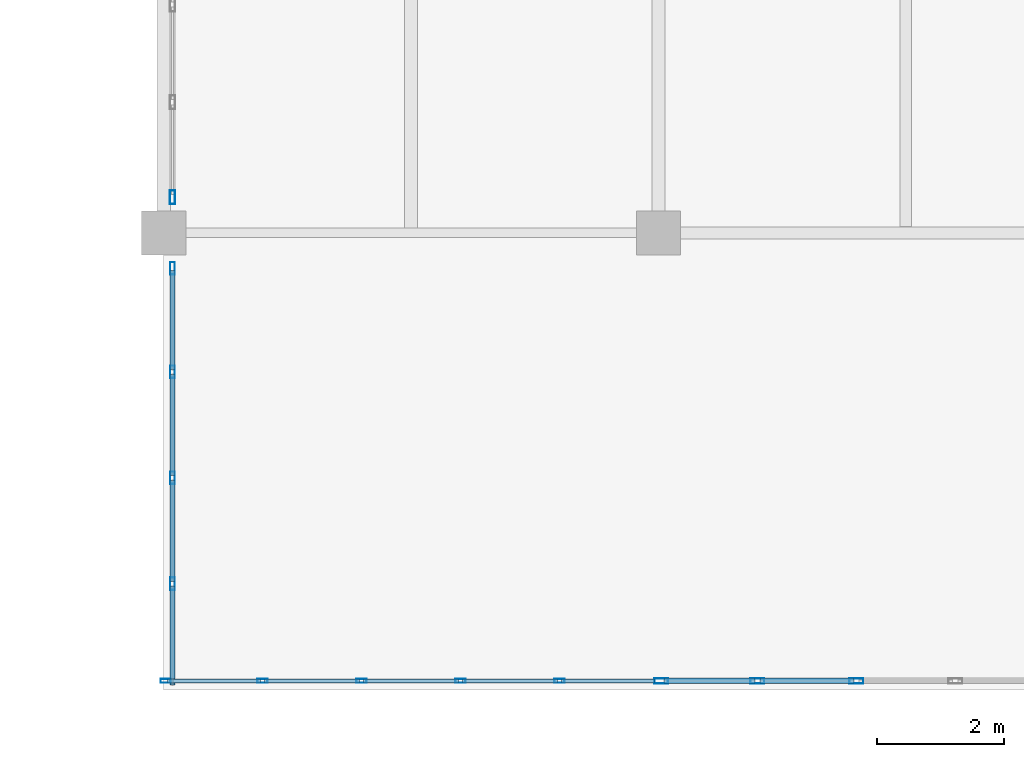
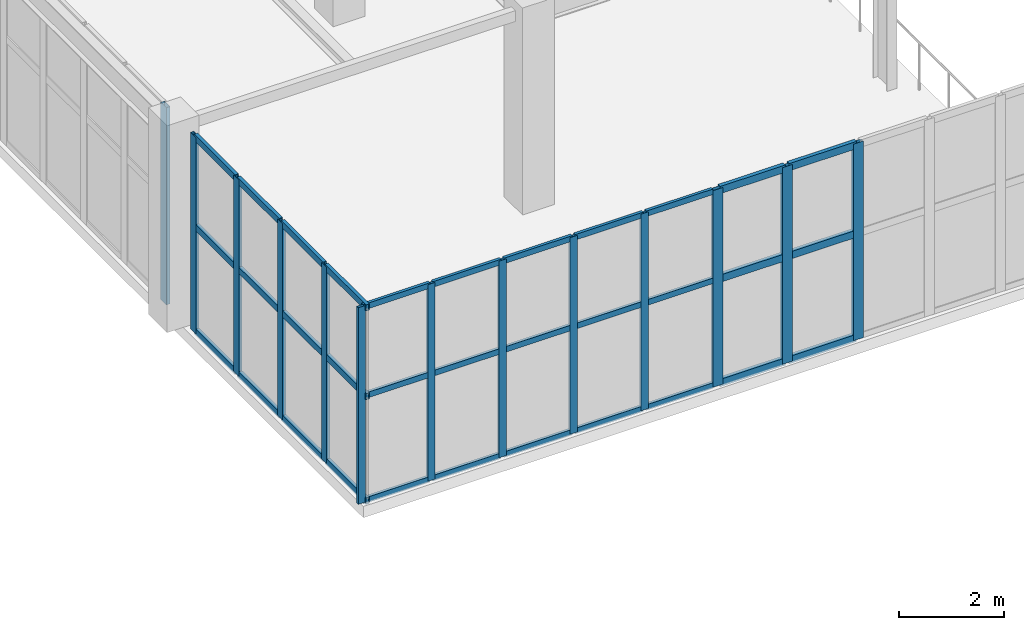
# One storey, part 31 of 72: 46 members, 4 elements without a shape of their own.
"""IFC4 building model written with IfcOpenShell, lengths in metres."""

from ifc_helpers import new_model, si_unit, direction, frame, origin, origin_2d, place, context, subcontext, project, spatial, hollow_rectangle, extrude, material, layer, layer_set, material_profile, profile_set, type_object, element, aggregate, save


model = new_model("IFC4")

# Units and contexts
model_context = context("Model", 3, precision=1e-05, world=origin(), true_north=direction((0.0, 1.0)))
body_context = subcontext(model_context, "Body", "Model", "MODEL_VIEW")
ifc_project = project(units=[si_unit("LENGTHUNIT", "METRE"), si_unit("AREAUNIT", "SQUARE_METRE"), si_unit("VOLUMEUNIT", "CUBIC_METRE"), si_unit("PLANEANGLEUNIT", "RADIAN"), si_unit("MASSUNIT", "GRAM", prefix="KILO")], contexts=[model_context])

# Site, building, storey
site_placement = place(None, origin())
site = spatial("IfcSite", under=ifc_project, at=site_placement, CompositionType="ELEMENT")
building_placement = place(site_placement, origin())
building = spatial("IfcBuilding", under=site, at=building_placement, Name="Xicomal Pleat Aquarium", CompositionType="ELEMENT")
storey_placement = place(building_placement, frame((0.0, 0.0, 10.5)))
storey = spatial("IfcBuildingStorey", under=building, at=storey_placement, Name="L03", CompositionType="ELEMENT", Elevation=10.5)

# Curtain wall, members
ifc_material_1 = material(Name="Bronze anodized aluminium 6063-T6", Category="aluminium")
ifc_layer_1 = layer(ifc_material_1, 0.159912109375)
ifc_layer_set_1 = layer_set([ifc_layer_1], Name="Bronze anodized aluminium 6063-T6")
curtain_wall_type_1 = type_object("IfcCurtainWallType", Name="CW-SYS-03", PredefinedType="NOTDEFINED", material=ifc_layer_set_1)
curtain_wall_1_placement = place(storey_placement, origin())
curtain_wall_1 = element("IfcCurtainWall", 1, at=curtain_wall_1_placement, inside=storey, type_object=curtain_wall_type_1, Name="L03 unitised curtain wall CW-L03-147", PredefinedType="NOTDEFINED")
ifc_material_2 = material(Name="Bronze anodized aluminium 6063-T6", Category="aluminium")
ifc_material_profile_1 = material_profile(ifc_material_2, hollow_rectangle(XDim=0.06494140625, YDim=0.159912109375, WallThickness=0.00390625, at=origin_2d()), Name="ALU MULL 65x160")
ifc_profile_set_1 = profile_set([ifc_material_profile_1], Name="Bronze anodized aluminium 6063-T6")
member_type_1 = type_object("IfcMemberType", Name="CWM-65x160", PredefinedType="MULLION", material=ifc_profile_set_1)
member_1_placement = place(storey_placement, frame((140.0400390625, 0.93994140625, 0.0), z_axis=(0.0, 0.0, 1.0), x_axis=(0.0, -1.0, 0.0)))
member_1 = element("IfcMember", 2, at=member_1_placement, type_object=member_type_1, Name="CW-03 mullion 2", PredefinedType="MULLION", context=body_context, shape_type="SweptSolid", body=[
    extrude(hollow_rectangle(XDim=0.06494140625, YDim=0.159912109375, WallThickness=0.00390625, at=origin_2d()), origin(), (0.0, 0.0, 1.0), 4.56005859375),
])
member_2_placement = place(storey_placement, frame((138.47998046875, 0.93994140625, 0.0), z_axis=(0.0, 0.0, 1.0), x_axis=(0.0, -1.0, 0.0)))
member_2 = element("IfcMember", 3, at=member_2_placement, type_object=member_type_1, Name="CW-03 mullion 3", PredefinedType="MULLION", context=body_context, shape_type="SweptSolid", body=[
    extrude(hollow_rectangle(XDim=0.06494140625, YDim=0.159912109375, WallThickness=0.00390625, at=origin_2d()), origin(), (0.0, 0.0, 1.0), 4.56005859375),
])
member_3_placement = place(storey_placement, frame((136.919921875, 0.93994140625, 0.0), z_axis=(0.0, 0.0, 1.0), x_axis=(0.0, -1.0, 0.0)))
member_3 = element("IfcMember", 4, at=member_3_placement, type_object=member_type_1, Name="CW-03 mullion 4", PredefinedType="MULLION", context=body_context, shape_type="SweptSolid", body=[
    extrude(hollow_rectangle(XDim=0.06494140625, YDim=0.159912109375, WallThickness=0.00390625, at=origin_2d()), origin(), (0.0, 0.0, 1.0), 4.56005859375),
])
member_4_placement = place(storey_placement, frame((135.360107421875, 0.93994140625, 0.0), z_axis=(0.0, 0.0, 1.0), x_axis=(0.0, -1.0, 0.0)))
member_4 = element("IfcMember", 5, at=member_4_placement, type_object=member_type_1, Name="CW-03 mullion 5", PredefinedType="MULLION", context=body_context, shape_type="SweptSolid", body=[
    extrude(hollow_rectangle(XDim=0.06494140625, YDim=0.159912109375, WallThickness=0.00390625, at=origin_2d()), origin(), (0.0, 0.0, 1.0), 4.56005859375),
])
member_5_placement = place(storey_placement, frame((133.83251953125, 0.93994140625, 0.0), z_axis=(0.0, 0.0, 1.0), x_axis=(0.0, -1.0, 0.0)))
member_5 = element("IfcMember", 6, at=member_5_placement, type_object=member_type_1, Name="CW-03 mullion 6", PredefinedType="MULLION", context=body_context, shape_type="SweptSolid", body=[
    extrude(hollow_rectangle(XDim=0.06494140625, YDim=0.159912109375, WallThickness=0.00390625, at=origin_2d()), origin(), (0.0, 0.0, 1.0), 4.56005859375),
])

ifc_material_3 = material(Name="Bronze anodized aluminium 6063-T6", Category="aluminium")
ifc_layer_2 = layer(ifc_material_3, 0.159912109375)
ifc_layer_set_2 = layer_set([ifc_layer_2], Name="Bronze anodized aluminium 6063-T6")
curtain_wall_type_2 = type_object("IfcCurtainWallType", Name="CW-SYS-08", PredefinedType="NOTDEFINED", material=ifc_layer_set_2)
curtain_wall_2_placement = place(storey_placement, origin())
curtain_wall_2 = element("IfcCurtainWall", 7, at=curtain_wall_2_placement, inside=storey, type_object=curtain_wall_type_2, Name="L03 unitised curtain wall CW-L03-148", PredefinedType="NOTDEFINED")
ifc_material_4 = material(Name="Bronze anodized aluminium 6063-T6", Category="aluminium")
ifc_material_profile_2 = material_profile(ifc_material_4, hollow_rectangle(XDim=0.074951171875, YDim=0.199951171875, WallThickness=0.00439453125, at=origin_2d()), Name="ALU MULL 75x200")
ifc_profile_set_2 = profile_set([ifc_material_profile_2], Name="Bronze anodized aluminium 6063-T6")
member_type_2 = type_object("IfcMemberType", Name="CWM-75x200", PredefinedType="MULLION", material=ifc_profile_set_2)
member_6_placement = place(storey_placement, frame((133.93994140625, 2.469970703125, 0.0), z_axis=(0.0, 0.0, 1.0), x_axis=(-1.0, 0.0, 0.0)))
member_6 = element("IfcMember", 8, at=member_6_placement, type_object=member_type_2, Name="CW-08 mullion 2", PredefinedType="MULLION", context=body_context, shape_type="SweptSolid", body=[
    extrude(hollow_rectangle(XDim=0.074951171875, YDim=0.199951171875, WallThickness=0.00439453125, at=origin_2d()), origin(), (0.0, 0.0, 1.0), 4.56005859375),
])
member_7_placement = place(storey_placement, frame((133.93994140625, 4.139892578125, 0.0), z_axis=(0.0, 0.0, 1.0), x_axis=(-1.0, 0.0, 0.0)))
member_7 = element("IfcMember", 9, at=member_7_placement, type_object=member_type_2, Name="CW-08 mullion 3", PredefinedType="MULLION", context=body_context, shape_type="SweptSolid", body=[
    extrude(hollow_rectangle(XDim=0.074951171875, YDim=0.199951171875, WallThickness=0.00439453125, at=origin_2d()), origin(), (0.0, 0.0, 1.0), 4.56005859375),
])
member_8_placement = place(storey_placement, frame((133.93994140625, 5.81005859375, 0.0), z_axis=(0.0, 0.0, 1.0), x_axis=(-1.0, 0.0, 0.0)))
member_8 = element("IfcMember", 10, at=member_8_placement, type_object=member_type_2, Name="CW-08 mullion 4", PredefinedType="MULLION", context=body_context, shape_type="SweptSolid", body=[
    extrude(hollow_rectangle(XDim=0.074951171875, YDim=0.199951171875, WallThickness=0.00439453125, at=origin_2d()), origin(), (0.0, 0.0, 1.0), 4.56005859375),
])
member_9_placement = place(storey_placement, frame((133.93994140625, 7.4423828125, 0.0), z_axis=(0.0, 0.0, 1.0), x_axis=(-1.0, 0.0, 0.0)))
member_9 = element("IfcMember", 11, at=member_9_placement, type_object=member_type_2, Name="CW-08 mullion 5", PredefinedType="MULLION", context=body_context, shape_type="SweptSolid", body=[
    extrude(hollow_rectangle(XDim=0.074951171875, YDim=0.199951171875, WallThickness=0.00439453125, at=origin_2d()), origin(), (0.0, 0.0, 1.0), 4.56005859375),
])

curtain_wall_3_placement = place(storey_placement, origin())
curtain_wall_3 = element("IfcCurtainWall", 12, at=curtain_wall_3_placement, inside=storey, type_object=curtain_wall_type_1, Name="L03 unitised curtain wall CW-L03-146", PredefinedType="NOTDEFINED")
ifc_material_5 = material(Name="Bronze anodized aluminium 6063-T6", Category="aluminium")
ifc_material_profile_3 = material_profile(ifc_material_5, hollow_rectangle(XDim=0.0849609375, YDim=0.219970703125, WallThickness=0.0048828125, at=origin_2d()), Name="ALU MULL 85x220")
ifc_profile_set_3 = profile_set([ifc_material_profile_3], Name="Bronze anodized aluminium 6063-T6")
member_type_3 = type_object("IfcMemberType", Name="CWM-85x220", PredefinedType="MULLION", material=ifc_profile_set_3)
member_10_placement = place(storey_placement, frame((144.719970703125, 0.93994140625, 0.0), z_axis=(0.0, 0.0, 1.0), x_axis=(0.0, -1.0, 0.0)))
member_10 = element("IfcMember", 13, at=member_10_placement, type_object=member_type_3, Name="CW-03 mullion 4", PredefinedType="MULLION", context=body_context, shape_type="SweptSolid", body=[
    extrude(hollow_rectangle(XDim=0.0849609375, YDim=0.219970703125, WallThickness=0.0048828125, at=origin_2d()), origin(), (0.0, 0.0, 1.0), 4.56005859375),
])
member_11_placement = place(storey_placement, frame((143.159912109375, 0.93994140625, 0.0), z_axis=(0.0, 0.0, 1.0), x_axis=(0.0, -1.0, 0.0)))
member_11 = element("IfcMember", 14, at=member_11_placement, type_object=member_type_3, Name="CW-03 mullion 5", PredefinedType="MULLION", context=body_context, shape_type="SweptSolid", body=[
    extrude(hollow_rectangle(XDim=0.0849609375, YDim=0.219970703125, WallThickness=0.0048828125, at=origin_2d()), origin(), (0.0, 0.0, 1.0), 4.56005859375),
])
member_12_placement = place(storey_placement, frame((141.642578125, 0.93994140625, 0.0), z_axis=(0.0, 0.0, 1.0), x_axis=(0.0, -1.0, 0.0)))
member_12 = element("IfcMember", 15, at=member_12_placement, type_object=member_type_3, Name="CW-03 mullion 6", PredefinedType="MULLION", context=body_context, shape_type="SweptSolid", body=[
    extrude(hollow_rectangle(XDim=0.0849609375, YDim=0.219970703125, WallThickness=0.0048828125, at=origin_2d()), origin(), (0.0, 0.0, 1.0), 4.56005859375),
])

# Curtain wall, member
curtain_wall_4_placement = place(storey_placement, origin())
curtain_wall_4 = element("IfcCurtainWall", 16, at=curtain_wall_4_placement, inside=storey, type_object=curtain_wall_type_1, Name="L03 unitised curtain wall CW-L03-149", PredefinedType="NOTDEFINED")
member_13_placement = place(storey_placement, frame((133.93994140625, 8.5625, 0.0), z_axis=(0.0, 0.0, 1.0), x_axis=(-1.0, 0.0, 0.0)))
member_13 = element("IfcMember", 17, at=member_13_placement, type_object=member_type_3, Name="CW-03 mullion 1", PredefinedType="MULLION", context=body_context, shape_type="SweptSolid", body=[
    extrude(hollow_rectangle(XDim=0.0849609375, YDim=0.219970703125, WallThickness=0.0048828125, at=origin_2d()), origin(), (0.0, 0.0, 1.0), 4.574951171875),
])
aggregate(curtain_wall_4, [member_13])

# Member
ifc_material_6 = material(Name="Bronze anodized aluminium 6063-T6", Category="aluminium")
ifc_material_profile_4 = material_profile(ifc_material_6, hollow_rectangle(XDim=0.06494140625, YDim=0.1298828125, WallThickness=0.00390625, at=origin_2d()), Name="ALU TRAN 65x130")
ifc_profile_set_4 = profile_set([ifc_material_profile_4], Name="Bronze anodized aluminium 6063-T6")
member_type_4 = type_object("IfcMemberType", Name="CWT-65x130", PredefinedType="USERDEFINED", material=ifc_profile_set_4)
member_14_placement = place(storey_placement, frame((141.534912109375, 0.93994140625, 0.032470703125), z_axis=(-1.0, 0.0, 0.0), x_axis=(0.0, -1.0, 0.0)))
member_14 = element("IfcMember", 18, at=member_14_placement, type_object=member_type_4, Name="CW-03 transom 1.1", ObjectType="TRANSOM", PredefinedType="USERDEFINED", context=body_context, shape_type="SweptSolid", body=[
    extrude(hollow_rectangle(XDim=0.06494140625, YDim=0.1298828125, WallThickness=0.00390625, at=origin_2d()), origin(), (0.0, 0.0, 1.0), 1.46240234375),
])

member_15_placement = place(storey_placement, frame((141.534912109375, 0.93994140625, 2.4619140625), z_axis=(-1.0, 0.0, 0.0), x_axis=(0.0, -1.0, 0.0)))
member_15 = element("IfcMember", 19, at=member_15_placement, type_object=member_type_4, Name="CW-03 transom 1.2", ObjectType="TRANSOM", PredefinedType="USERDEFINED", context=body_context, shape_type="SweptSolid", body=[
    extrude(hollow_rectangle(XDim=0.06494140625, YDim=0.1298828125, WallThickness=0.00390625, at=origin_2d()), origin(), (0.0, 0.0, 1.0), 1.46240234375),
])

member_16_placement = place(storey_placement, frame((141.534912109375, 0.93994140625, 4.527587890625), z_axis=(-1.0, 0.0, 0.0), x_axis=(0.0, -1.0, 0.0)))
member_16 = element("IfcMember", 20, at=member_16_placement, type_object=member_type_4, Name="CW-03 transom 1.3", ObjectType="TRANSOM", PredefinedType="USERDEFINED", context=body_context, shape_type="SweptSolid", body=[
    extrude(hollow_rectangle(XDim=0.06494140625, YDim=0.1298828125, WallThickness=0.00390625, at=origin_2d()), origin(), (0.0, 0.0, 1.0), 1.46240234375),
])

member_17_placement = place(storey_placement, frame((140.007568359375, 0.93994140625, 0.032470703125), z_axis=(-1.0, 0.0, 0.0), x_axis=(0.0, -1.0, 0.0)))
member_17 = element("IfcMember", 21, at=member_17_placement, type_object=member_type_4, Name="CW-03 transom 2.1", ObjectType="TRANSOM", PredefinedType="USERDEFINED", context=body_context, shape_type="SweptSolid", body=[
    extrude(hollow_rectangle(XDim=0.06494140625, YDim=0.1298828125, WallThickness=0.00390625, at=origin_2d()), origin(), (0.0, 0.0, 1.0), 1.4951171875),
])

member_18_placement = place(storey_placement, frame((140.007568359375, 0.93994140625, 2.4619140625), z_axis=(-1.0, 0.0, 0.0), x_axis=(0.0, -1.0, 0.0)))
member_18 = element("IfcMember", 22, at=member_18_placement, type_object=member_type_4, Name="CW-03 transom 2.2", ObjectType="TRANSOM", PredefinedType="USERDEFINED", context=body_context, shape_type="SweptSolid", body=[
    extrude(hollow_rectangle(XDim=0.06494140625, YDim=0.1298828125, WallThickness=0.00390625, at=origin_2d()), origin(), (0.0, 0.0, 1.0), 1.4951171875),
])

member_19_placement = place(storey_placement, frame((140.007568359375, 0.93994140625, 4.527587890625), z_axis=(-1.0, 0.0, 0.0), x_axis=(0.0, -1.0, 0.0)))
member_19 = element("IfcMember", 23, at=member_19_placement, type_object=member_type_4, Name="CW-03 transom 2.3", ObjectType="TRANSOM", PredefinedType="USERDEFINED", context=body_context, shape_type="SweptSolid", body=[
    extrude(hollow_rectangle(XDim=0.06494140625, YDim=0.1298828125, WallThickness=0.00390625, at=origin_2d()), origin(), (0.0, 0.0, 1.0), 1.4951171875),
])

member_20_placement = place(storey_placement, frame((138.447509765625, 0.93994140625, 0.032470703125), z_axis=(-1.0, 0.0, 0.0), x_axis=(0.0, -1.0, 0.0)))
member_20 = element("IfcMember", 24, at=member_20_placement, type_object=member_type_4, Name="CW-03 transom 3.1", ObjectType="TRANSOM", PredefinedType="USERDEFINED", context=body_context, shape_type="SweptSolid", body=[
    extrude(hollow_rectangle(XDim=0.06494140625, YDim=0.1298828125, WallThickness=0.00390625, at=origin_2d()), origin(), (0.0, 0.0, 1.0), 1.4951171875),
])

member_21_placement = place(storey_placement, frame((138.447509765625, 0.93994140625, 2.4619140625), z_axis=(-1.0, 0.0, 0.0), x_axis=(0.0, -1.0, 0.0)))
member_21 = element("IfcMember", 25, at=member_21_placement, type_object=member_type_4, Name="CW-03 transom 3.2", ObjectType="TRANSOM", PredefinedType="USERDEFINED", context=body_context, shape_type="SweptSolid", body=[
    extrude(hollow_rectangle(XDim=0.06494140625, YDim=0.1298828125, WallThickness=0.00390625, at=origin_2d()), origin(), (0.0, 0.0, 1.0), 1.4951171875),
])

member_22_placement = place(storey_placement, frame((138.447509765625, 0.93994140625, 4.527587890625), z_axis=(-1.0, 0.0, 0.0), x_axis=(0.0, -1.0, 0.0)))
member_22 = element("IfcMember", 26, at=member_22_placement, type_object=member_type_4, Name="CW-03 transom 3.3", ObjectType="TRANSOM", PredefinedType="USERDEFINED", context=body_context, shape_type="SweptSolid", body=[
    extrude(hollow_rectangle(XDim=0.06494140625, YDim=0.1298828125, WallThickness=0.00390625, at=origin_2d()), origin(), (0.0, 0.0, 1.0), 1.4951171875),
])

member_23_placement = place(storey_placement, frame((136.887451171875, 0.93994140625, 0.032470703125), z_axis=(-1.0, 0.0, 0.0), x_axis=(0.0, -1.0, 0.0)))
member_23 = element("IfcMember", 27, at=member_23_placement, type_object=member_type_4, Name="CW-03 transom 4.1", ObjectType="TRANSOM", PredefinedType="USERDEFINED", context=body_context, shape_type="SweptSolid", body=[
    extrude(hollow_rectangle(XDim=0.06494140625, YDim=0.1298828125, WallThickness=0.00390625, at=origin_2d()), origin(), (0.0, 0.0, 1.0), 1.494873046875),
])

member_24_placement = place(storey_placement, frame((136.887451171875, 0.93994140625, 2.4619140625), z_axis=(-1.0, 0.0, 0.0), x_axis=(0.0, -1.0, 0.0)))
member_24 = element("IfcMember", 28, at=member_24_placement, type_object=member_type_4, Name="CW-03 transom 4.2", ObjectType="TRANSOM", PredefinedType="USERDEFINED", context=body_context, shape_type="SweptSolid", body=[
    extrude(hollow_rectangle(XDim=0.06494140625, YDim=0.1298828125, WallThickness=0.00390625, at=origin_2d()), origin(), (0.0, 0.0, 1.0), 1.494873046875),
])

member_25_placement = place(storey_placement, frame((136.887451171875, 0.93994140625, 4.527587890625), z_axis=(-1.0, 0.0, 0.0), x_axis=(0.0, -1.0, 0.0)))
member_25 = element("IfcMember", 29, at=member_25_placement, type_object=member_type_4, Name="CW-03 transom 4.3", ObjectType="TRANSOM", PredefinedType="USERDEFINED", context=body_context, shape_type="SweptSolid", body=[
    extrude(hollow_rectangle(XDim=0.06494140625, YDim=0.1298828125, WallThickness=0.00390625, at=origin_2d()), origin(), (0.0, 0.0, 1.0), 1.494873046875),
])

member_26_placement = place(storey_placement, frame((135.327392578125, 0.93994140625, 0.032470703125), z_axis=(-1.0, 0.0, 0.0), x_axis=(0.0, -1.0, 0.0)))
member_26 = element("IfcMember", 30, at=member_26_placement, type_object=member_type_4, Name="CW-03 transom 5.1", ObjectType="TRANSOM", PredefinedType="USERDEFINED", context=body_context, shape_type="SweptSolid", body=[
    extrude(hollow_rectangle(XDim=0.06494140625, YDim=0.1298828125, WallThickness=0.00390625, at=origin_2d()), origin(), (0.0, 0.0, 1.0), 1.46240234375),
])

member_27_placement = place(storey_placement, frame((135.327392578125, 0.93994140625, 2.4619140625), z_axis=(-1.0, 0.0, 0.0), x_axis=(0.0, -1.0, 0.0)))
member_27 = element("IfcMember", 31, at=member_27_placement, type_object=member_type_4, Name="CW-03 transom 5.2", ObjectType="TRANSOM", PredefinedType="USERDEFINED", context=body_context, shape_type="SweptSolid", body=[
    extrude(hollow_rectangle(XDim=0.06494140625, YDim=0.1298828125, WallThickness=0.00390625, at=origin_2d()), origin(), (0.0, 0.0, 1.0), 1.46240234375),
])

member_28_placement = place(storey_placement, frame((135.327392578125, 0.93994140625, 4.527587890625), z_axis=(-1.0, 0.0, 0.0), x_axis=(0.0, -1.0, 0.0)))
member_28 = element("IfcMember", 32, at=member_28_placement, type_object=member_type_4, Name="CW-03 transom 5.3", ObjectType="TRANSOM", PredefinedType="USERDEFINED", context=body_context, shape_type="SweptSolid", body=[
    extrude(hollow_rectangle(XDim=0.06494140625, YDim=0.1298828125, WallThickness=0.00390625, at=origin_2d()), origin(), (0.0, 0.0, 1.0), 1.46240234375),
])

aggregate(curtain_wall_1, [member_1, member_2, member_3, member_4, member_5, member_14, member_15, member_16, member_17, member_18, member_19, member_20, member_21, member_22, member_23, member_24, member_25, member_26, member_27, member_28])

ifc_material_7 = material(Name="Bronze anodized aluminium 6063-T6", Category="aluminium")
ifc_material_profile_5 = material_profile(ifc_material_7, hollow_rectangle(XDim=0.074951171875, YDim=0.14990234375, WallThickness=0.00439453125, at=origin_2d()), Name="ALU TRAN 75x150")
ifc_profile_set_5 = profile_set([ifc_material_profile_5], Name="Bronze anodized aluminium 6063-T6")
member_type_5 = type_object("IfcMemberType", Name="CWT-75x150", PredefinedType="USERDEFINED", material=ifc_profile_set_5)
member_29_placement = place(storey_placement, frame((133.93994140625, 0.875, 0.03759765625), z_axis=(0.0, 1.0, 0.0), x_axis=(-1.0, 0.0, 0.0)))
member_29 = element("IfcMember", 33, at=member_29_placement, type_object=member_type_5, Name="CW-08 transom 1.1", ObjectType="TRANSOM", PredefinedType="USERDEFINED", context=body_context, shape_type="SweptSolid", body=[
    extrude(hollow_rectangle(XDim=0.074951171875, YDim=0.14990234375, WallThickness=0.00439453125, at=origin_2d()), origin(), (0.0, 0.0, 1.0), 1.5576171875),
])

member_30_placement = place(storey_placement, frame((133.93994140625, 0.875, 2.4619140625), z_axis=(0.0, 1.0, 0.0), x_axis=(-1.0, 0.0, 0.0)))
member_30 = element("IfcMember", 34, at=member_30_placement, type_object=member_type_5, Name="CW-08 transom 1.2", ObjectType="TRANSOM", PredefinedType="USERDEFINED", context=body_context, shape_type="SweptSolid", body=[
    extrude(hollow_rectangle(XDim=0.074951171875, YDim=0.14990234375, WallThickness=0.00439453125, at=origin_2d()), origin(), (0.0, 0.0, 1.0), 1.5576171875),
])

member_31_placement = place(storey_placement, frame((133.93994140625, 0.875, 4.5224609375), z_axis=(0.0, 1.0, 0.0), x_axis=(-1.0, 0.0, 0.0)))
member_31 = element("IfcMember", 35, at=member_31_placement, type_object=member_type_5, Name="CW-08 transom 1.3", ObjectType="TRANSOM", PredefinedType="USERDEFINED", context=body_context, shape_type="SweptSolid", body=[
    extrude(hollow_rectangle(XDim=0.074951171875, YDim=0.14990234375, WallThickness=0.00439453125, at=origin_2d()), origin(), (0.0, 0.0, 1.0), 1.5576171875),
])

member_32_placement = place(storey_placement, frame((133.93994140625, 2.507568359375, 0.03759765625), z_axis=(0.0, 1.0, 0.0), x_axis=(-1.0, 0.0, 0.0)))
member_32 = element("IfcMember", 36, at=member_32_placement, type_object=member_type_5, Name="CW-08 transom 2.1", ObjectType="TRANSOM", PredefinedType="USERDEFINED", context=body_context, shape_type="SweptSolid", body=[
    extrude(hollow_rectangle(XDim=0.074951171875, YDim=0.14990234375, WallThickness=0.00439453125, at=origin_2d()), origin(), (0.0, 0.0, 1.0), 1.594970703125),
])

member_33_placement = place(storey_placement, frame((133.93994140625, 2.507568359375, 2.4619140625), z_axis=(0.0, 1.0, 0.0), x_axis=(-1.0, 0.0, 0.0)))
member_33 = element("IfcMember", 37, at=member_33_placement, type_object=member_type_5, Name="CW-08 transom 2.2", ObjectType="TRANSOM", PredefinedType="USERDEFINED", context=body_context, shape_type="SweptSolid", body=[
    extrude(hollow_rectangle(XDim=0.074951171875, YDim=0.14990234375, WallThickness=0.00439453125, at=origin_2d()), origin(), (0.0, 0.0, 1.0), 1.594970703125),
])

member_34_placement = place(storey_placement, frame((133.93994140625, 2.507568359375, 4.5224609375), z_axis=(0.0, 1.0, 0.0), x_axis=(-1.0, 0.0, 0.0)))
member_34 = element("IfcMember", 38, at=member_34_placement, type_object=member_type_5, Name="CW-08 transom 2.3", ObjectType="TRANSOM", PredefinedType="USERDEFINED", context=body_context, shape_type="SweptSolid", body=[
    extrude(hollow_rectangle(XDim=0.074951171875, YDim=0.14990234375, WallThickness=0.00439453125, at=origin_2d()), origin(), (0.0, 0.0, 1.0), 1.594970703125),
])

member_35_placement = place(storey_placement, frame((133.93994140625, 4.177490234375, 0.03759765625), z_axis=(0.0, 1.0, 0.0), x_axis=(-1.0, 0.0, 0.0)))
member_35 = element("IfcMember", 39, at=member_35_placement, type_object=member_type_5, Name="CW-08 transom 3.1", ObjectType="TRANSOM", PredefinedType="USERDEFINED", context=body_context, shape_type="SweptSolid", body=[
    extrude(hollow_rectangle(XDim=0.074951171875, YDim=0.14990234375, WallThickness=0.00439453125, at=origin_2d()), origin(), (0.0, 0.0, 1.0), 1.594970703125),
])

member_36_placement = place(storey_placement, frame((133.93994140625, 4.177490234375, 2.4619140625), z_axis=(0.0, 1.0, 0.0), x_axis=(-1.0, 0.0, 0.0)))
member_36 = element("IfcMember", 40, at=member_36_placement, type_object=member_type_5, Name="CW-08 transom 3.2", ObjectType="TRANSOM", PredefinedType="USERDEFINED", context=body_context, shape_type="SweptSolid", body=[
    extrude(hollow_rectangle(XDim=0.074951171875, YDim=0.14990234375, WallThickness=0.00439453125, at=origin_2d()), origin(), (0.0, 0.0, 1.0), 1.594970703125),
])

member_37_placement = place(storey_placement, frame((133.93994140625, 4.177490234375, 4.5224609375), z_axis=(0.0, 1.0, 0.0), x_axis=(-1.0, 0.0, 0.0)))
member_37 = element("IfcMember", 41, at=member_37_placement, type_object=member_type_5, Name="CW-08 transom 3.3", ObjectType="TRANSOM", PredefinedType="USERDEFINED", context=body_context, shape_type="SweptSolid", body=[
    extrude(hollow_rectangle(XDim=0.074951171875, YDim=0.14990234375, WallThickness=0.00439453125, at=origin_2d()), origin(), (0.0, 0.0, 1.0), 1.594970703125),
])

member_38_placement = place(storey_placement, frame((133.93994140625, 5.847412109375, 0.03759765625), z_axis=(0.0, 1.0, 0.0), x_axis=(-1.0, 0.0, 0.0)))
member_38 = element("IfcMember", 42, at=member_38_placement, type_object=member_type_5, Name="CW-08 transom 4.1", ObjectType="TRANSOM", PredefinedType="USERDEFINED", context=body_context, shape_type="SweptSolid", body=[
    extrude(hollow_rectangle(XDim=0.074951171875, YDim=0.14990234375, WallThickness=0.00439453125, at=origin_2d()), origin(), (0.0, 0.0, 1.0), 1.5576171875),
])

member_39_placement = place(storey_placement, frame((133.93994140625, 5.847412109375, 2.4619140625), z_axis=(0.0, 1.0, 0.0), x_axis=(-1.0, 0.0, 0.0)))
member_39 = element("IfcMember", 43, at=member_39_placement, type_object=member_type_5, Name="CW-08 transom 4.2", ObjectType="TRANSOM", PredefinedType="USERDEFINED", context=body_context, shape_type="SweptSolid", body=[
    extrude(hollow_rectangle(XDim=0.074951171875, YDim=0.14990234375, WallThickness=0.00439453125, at=origin_2d()), origin(), (0.0, 0.0, 1.0), 1.5576171875),
])

member_40_placement = place(storey_placement, frame((133.93994140625, 5.847412109375, 4.5224609375), z_axis=(0.0, 1.0, 0.0), x_axis=(-1.0, 0.0, 0.0)))
member_40 = element("IfcMember", 44, at=member_40_placement, type_object=member_type_5, Name="CW-08 transom 4.3", ObjectType="TRANSOM", PredefinedType="USERDEFINED", context=body_context, shape_type="SweptSolid", body=[
    extrude(hollow_rectangle(XDim=0.074951171875, YDim=0.14990234375, WallThickness=0.00439453125, at=origin_2d()), origin(), (0.0, 0.0, 1.0), 1.5576171875),
])

aggregate(curtain_wall_2, [member_6, member_7, member_8, member_9, member_29, member_30, member_31, member_32, member_33, member_34, member_35, member_36, member_37, member_38, member_39, member_40])

ifc_material_8 = material(Name="Bronze anodized aluminium 6063-T6", Category="aluminium")
ifc_material_profile_6 = material_profile(ifc_material_8, hollow_rectangle(XDim=0.0849609375, YDim=0.169921875, WallThickness=0.0048828125, at=origin_2d()), Name="ALU TRAN 85x170")
ifc_profile_set_6 = profile_set([ifc_material_profile_6], Name="Bronze anodized aluminium 6063-T6")
member_type_6 = type_object("IfcMemberType", Name="CWT-85x170", PredefinedType="USERDEFINED", material=ifc_profile_set_6)
member_41_placement = place(storey_placement, frame((144.677490234375, 0.93994140625, 0.04248046875), z_axis=(-1.0, 0.0, 0.0), x_axis=(0.0, -1.0, 0.0)))
member_41 = element("IfcMember", 45, at=member_41_placement, type_object=member_type_6, Name="CW-03 transom 4.1", ObjectType="TRANSOM", PredefinedType="USERDEFINED", context=body_context, shape_type="SweptSolid", body=[
    extrude(hollow_rectangle(XDim=0.0849609375, YDim=0.169921875, WallThickness=0.0048828125, at=origin_2d()), origin(), (0.0, 0.0, 1.0), 1.47509765625),
])

member_42_placement = place(storey_placement, frame((144.677490234375, 0.93994140625, 2.4619140625), z_axis=(-1.0, 0.0, 0.0), x_axis=(0.0, -1.0, 0.0)))
member_42 = element("IfcMember", 46, at=member_42_placement, type_object=member_type_6, Name="CW-03 transom 4.2", ObjectType="TRANSOM", PredefinedType="USERDEFINED", context=body_context, shape_type="SweptSolid", body=[
    extrude(hollow_rectangle(XDim=0.0849609375, YDim=0.169921875, WallThickness=0.0048828125, at=origin_2d()), origin(), (0.0, 0.0, 1.0), 1.47509765625),
])

member_43_placement = place(storey_placement, frame((144.677490234375, 0.93994140625, 4.517578125), z_axis=(-1.0, 0.0, 0.0), x_axis=(0.0, -1.0, 0.0)))
member_43 = element("IfcMember", 47, at=member_43_placement, type_object=member_type_6, Name="CW-03 transom 4.3", ObjectType="TRANSOM", PredefinedType="USERDEFINED", context=body_context, shape_type="SweptSolid", body=[
    extrude(hollow_rectangle(XDim=0.0849609375, YDim=0.169921875, WallThickness=0.0048828125, at=origin_2d()), origin(), (0.0, 0.0, 1.0), 1.47509765625),
])

member_44_placement = place(storey_placement, frame((143.117431640625, 0.93994140625, 0.04248046875), z_axis=(-1.0, 0.0, 0.0), x_axis=(0.0, -1.0, 0.0)))
member_44 = element("IfcMember", 48, at=member_44_placement, type_object=member_type_6, Name="CW-03 transom 5.1", ObjectType="TRANSOM", PredefinedType="USERDEFINED", context=body_context, shape_type="SweptSolid", body=[
    extrude(hollow_rectangle(XDim=0.0849609375, YDim=0.169921875, WallThickness=0.0048828125, at=origin_2d()), origin(), (0.0, 0.0, 1.0), 1.432373046875),
])

member_45_placement = place(storey_placement, frame((143.117431640625, 0.93994140625, 2.4619140625), z_axis=(-1.0, 0.0, 0.0), x_axis=(0.0, -1.0, 0.0)))
member_45 = element("IfcMember", 49, at=member_45_placement, type_object=member_type_6, Name="CW-03 transom 5.2", ObjectType="TRANSOM", PredefinedType="USERDEFINED", context=body_context, shape_type="SweptSolid", body=[
    extrude(hollow_rectangle(XDim=0.0849609375, YDim=0.169921875, WallThickness=0.0048828125, at=origin_2d()), origin(), (0.0, 0.0, 1.0), 1.432373046875),
])

member_46_placement = place(storey_placement, frame((143.117431640625, 0.93994140625, 4.517578125), z_axis=(-1.0, 0.0, 0.0), x_axis=(0.0, -1.0, 0.0)))
member_46 = element("IfcMember", 50, at=member_46_placement, type_object=member_type_6, Name="CW-03 transom 5.3", ObjectType="TRANSOM", PredefinedType="USERDEFINED", context=body_context, shape_type="SweptSolid", body=[
    extrude(hollow_rectangle(XDim=0.0849609375, YDim=0.169921875, WallThickness=0.0048828125, at=origin_2d()), origin(), (0.0, 0.0, 1.0), 1.432373046875),
])

aggregate(curtain_wall_3, [member_10, member_11, member_12, member_41, member_42, member_43, member_44, member_45, member_46])

save(model, "model.ifc")
